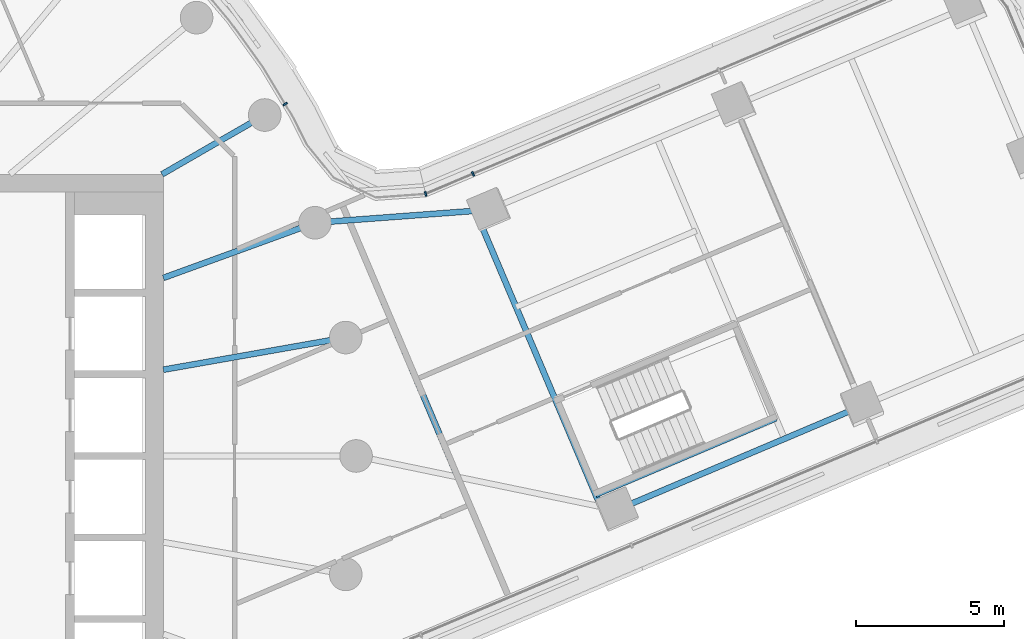
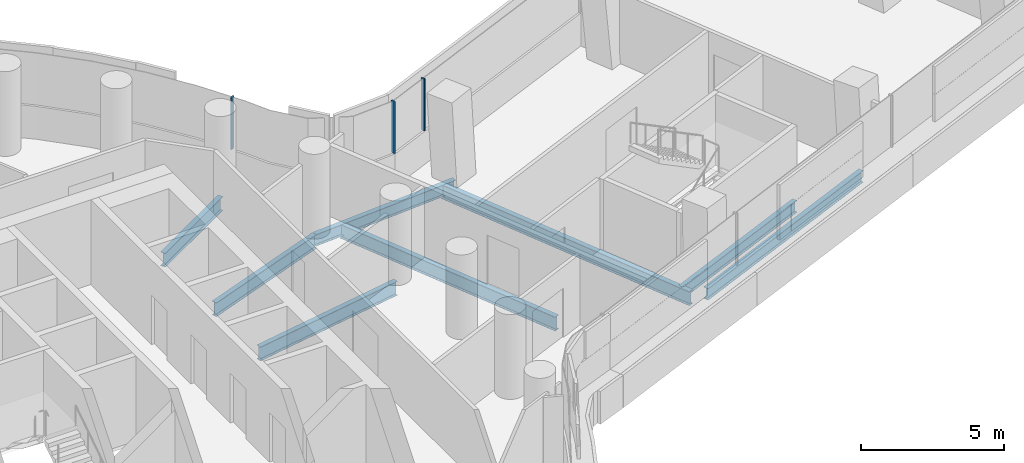
# One storey, part 12 of 35: 8 beams, 3 members, 2 elements without a shape of their own.
"""IFC4 building model written with IfcOpenShell, lengths in metres."""

from ifc_helpers import new_model, si_unit, direction, frame, origin, origin_2d, place, context, subcontext, project, spatial, rectangle, i_section, extrude, material, layer, layer_set, material_profile, profile_set, type_object, element, aggregate, save


model = new_model("IFC4")

# Units and contexts
model_context = context("Model", 3, precision=1e-05, world=origin(), true_north=direction((0.0, 1.0)))
body_context = subcontext(model_context, "Body", "Model", "MODEL_VIEW")
ifc_project = project(units=[si_unit("LENGTHUNIT", "METRE"), si_unit("AREAUNIT", "SQUARE_METRE"), si_unit("VOLUMEUNIT", "CUBIC_METRE"), si_unit("PLANEANGLEUNIT", "RADIAN"), si_unit("MASSUNIT", "GRAM", prefix="KILO")], contexts=[model_context])

# Site, building, storey
site_placement = place(None, origin())
site = spatial("IfcSite", under=ifc_project, at=site_placement, CompositionType="ELEMENT")
building_placement = place(site_placement, origin())
building = spatial("IfcBuilding", under=site, at=building_placement, Name="Tamarind Cross Interchange Tower", CompositionType="ELEMENT")
storey_placement = place(building_placement, frame((0.0, 0.0, 117.25)))
storey = spatial("IfcBuildingStorey", under=building, at=storey_placement, Name="L28", CompositionType="ELEMENT", Elevation=117.25)

# Beams
ifc_material_1 = material(Name="Steel Q355B", Category="steel")
ifc_material_profile_1 = material_profile(ifc_material_1, i_section(OverallWidth=0.198974609375, OverallDepth=0.49609375, WebThickness=0.009033203125, FlangeThickness=0.013916015625, FilletRadius=0.012939453125, at=origin_2d()), Name="HN 496x199x9x14")
ifc_profile_set_1 = profile_set([ifc_material_profile_1], Name="Steel Q355B")
beam_type_1 = type_object("IfcBeamType", Name="Composite beam HN 496x199x9x14 Q355B", PredefinedType="BEAM", material=ifc_profile_set_1)
beam_1_placement = place(storey_placement, frame((40.07421875, 1.6923828125, -0.387939453125), z_axis=(-0.920596558371, -0.390515014713, 0.0), x_axis=(0.390515014713, -0.920596558371, 0.0)))
element("IfcBeam", 1, at=beam_1_placement, inside=storey, type_object=beam_type_1, Name="Beam E-edgeem6", PredefinedType="BEAM", context=body_context, shape_type="SweptSolid", body=[
    extrude(i_section(OverallWidth=0.198974609375, OverallDepth=0.49609375, WebThickness=0.009033203125, FlangeThickness=0.013916015625, FilletRadius=0.012939453125, at=origin_2d()), origin(), (0.0, 0.0, 1.0), 9.0),
])
beam_2_placement = place(storey_placement, frame((27.4931640625, 8.304443359375, -0.387939453125), z_axis=(-0.997237393702, -0.074280418696, 0.0), x_axis=(0.074280418696, -0.997237393702, 0.0)))
element("IfcBeam", 2, at=beam_2_placement, inside=storey, type_object=beam_type_1, Name="Beam E-linkep", PredefinedType="BEAM", context=body_context, shape_type="SweptSolid", body=[
    extrude(i_section(OverallWidth=0.198974609375, OverallDepth=0.49609375, WebThickness=0.009033203125, FlangeThickness=0.013916015625, FilletRadius=0.012939453125, at=origin_2d()), origin(), (0.0, 0.0, 1.0), 5.896484375),
])
beam_3_placement = place(storey_placement, frame((31.08154296875, -1.307373046875, -0.387939453125), z_axis=(0.920609990967, 0.390483347316, 0.0), x_axis=(-0.390483347316, 0.920609990967, 0.0)))
element("IfcBeam", 3, at=beam_3_placement, inside=storey, type_object=beam_type_1, Name="Beam E-tr0", PredefinedType="BEAM", context=body_context, shape_type="SweptSolid", body=[
    extrude(i_section(OverallWidth=0.198974609375, OverallDepth=0.49609375, WebThickness=0.009033203125, FlangeThickness=0.013916015625, FilletRadius=0.012939453125, at=origin_2d()), origin(), (0.0, 0.0, 1.0), 6.599853515625),
])
ifc_material_profile_2 = material_profile(ifc_material_1, i_section(OverallWidth=0.198974609375, OverallDepth=0.595947265625, WebThickness=0.010009765625, FlangeThickness=0.014892578125, FilletRadius=0.012939453125, at=origin_2d()), Name="HN 596x199x10x15")
ifc_profile_set_2 = profile_set([ifc_material_profile_2], Name="Steel Q355B")
beam_type_2 = type_object("IfcBeamType", Name="Composite beam HN 596x199x10x15 Q355B", PredefinedType="BEAM", material=ifc_profile_set_2)
beam_4_placement = place(storey_placement, frame((22.650634765625, 3.993896484375, -0.43798828125), z_axis=(-0.984809127561, -0.173640382036, 0.0), x_axis=(0.173640382036, -0.984809127561, 0.0)))
element("IfcBeam", 4, at=beam_4_placement, inside=storey, type_object=beam_type_2, Name="Beam HH01", PredefinedType="BEAM", context=body_context, shape_type="SweptSolid", body=[
    extrude(i_section(OverallWidth=0.198974609375, OverallDepth=0.595947265625, WebThickness=0.010009765625, FlangeThickness=0.014892578125, FilletRadius=0.012939453125, at=origin_2d()), origin(), (0.0, 0.0, 1.0), 6.24560546875),
])
beam_5_placement = place(storey_placement, frame((21.613037109375, 7.866455078125, -0.43798828125), z_axis=(-0.939701685589, -0.341995236956, 0.0), x_axis=(0.341995236956, -0.939701685589, 0.0)))
element("IfcBeam", 5, at=beam_5_placement, inside=storey, type_object=beam_type_2, Name="Beam HH02", PredefinedType="BEAM", context=body_context, shape_type="SweptSolid", body=[
    extrude(i_section(OverallWidth=0.198974609375, OverallDepth=0.595947265625, WebThickness=0.010009765625, FlangeThickness=0.014892578125, FilletRadius=0.012939453125, at=origin_2d()), origin(), (0.0, 0.0, 1.0), 5.441162109375),
])
beam_6_placement = place(storey_placement, frame((19.918701171875, 11.5, -0.43798828125), z_axis=(-0.866026010844, -0.49999894854, 0.0), x_axis=(0.49999894854, -0.866026010844, 0.0)))
element("IfcBeam", 6, at=beam_6_placement, inside=storey, type_object=beam_type_2, Name="Beam HH03", PredefinedType="BEAM", context=body_context, shape_type="SweptSolid", body=[
    extrude(i_section(OverallWidth=0.198974609375, OverallDepth=0.595947265625, WebThickness=0.010009765625, FlangeThickness=0.014892578125, FilletRadius=0.012939453125, at=origin_2d()), origin(), (0.0, 0.0, 1.0), 4.0),
])
ifc_material_profile_3 = material_profile(ifc_material_1, i_section(OverallWidth=0.199951171875, OverallDepth=0.60009765625, WebThickness=0.010986328125, FlangeThickness=0.01708984375, FilletRadius=0.012939453125, at=origin_2d()), Name="HN 600x200x11x17")
ifc_profile_set_3 = profile_set([ifc_material_profile_3], Name="Steel Q355B")
beam_type_3 = type_object("IfcBeamType", Name="Composite beam HN 600x200x11x17 Q355B", PredefinedType="BEAM", material=ifc_profile_set_3)
beam_7_placement = place(storey_placement, frame((31.2529296875, -1.7109375, -0.43994140625), z_axis=(-0.390500109086, 0.920602881162, 0.0), x_axis=(-0.920602881162, -0.390500109086, 0.0)))
element("IfcBeam", 7, at=beam_7_placement, inside=storey, type_object=beam_type_3, Name="Beam E-x298", PredefinedType="BEAM", context=body_context, shape_type="SweptSolid", body=[
    extrude(i_section(OverallWidth=0.199951171875, OverallDepth=0.60009765625, WebThickness=0.010986328125, FlangeThickness=0.01708984375, FilletRadius=0.012939453125, at=origin_2d()), origin(), (0.0, 0.0, 1.0), 10.841064453125),
])
beam_8_placement = place(storey_placement, frame((26.42919921875, -0.7109375, -0.43994140625), z_axis=(-0.390493874521, 0.920605525707, 0.0), x_axis=(-0.920605525707, -0.390493874521, 0.0)))
element("IfcBeam", 8, at=beam_8_placement, inside=storey, type_object=beam_type_3, Name="Beam E-x258", PredefinedType="BEAM", context=body_context, shape_type="SweptSolid", body=[
    extrude(i_section(OverallWidth=0.199951171875, OverallDepth=0.60009765625, WebThickness=0.010986328125, FlangeThickness=0.01708984375, FilletRadius=0.012939453125, at=origin_2d()), origin(), (0.0, 0.0, 1.0), 9.409423828125),
])

# Curtain wall, member
ifc_material_2 = material(Name="Aluminium 6063-T6", Category="aluminium")
ifc_layer = layer(ifc_material_2, 0.159912109375)
ifc_layer_set = layer_set([ifc_layer], Name="Aluminium 6063-T6")
curtain_wall_type = type_object("IfcCurtainWallType", Name="Office curtain wall, 9.0 m bays", PredefinedType="NOTDEFINED", material=ifc_layer_set)
curtain_wall_1_placement = place(storey_placement, origin())
curtain_wall_1 = element("IfcCurtainWall", 9, at=curtain_wall_1_placement, inside=storey, type_object=curtain_wall_type, Name="CWS-L28-09", PredefinedType="NOTDEFINED")
ifc_material_profile_4 = material_profile(ifc_material_2, rectangle(XDim=0.06005859375, YDim=0.159912109375, at=origin_2d()), Name="Mullion CW1")
ifc_profile_set_4 = profile_set([ifc_material_profile_4], Name="Aluminium 6063-T6")
member_type = type_object("IfcMemberType", Name="Mullion CW1", PredefinedType="MULLION", material=ifc_profile_set_4)
member_1_placement = place(storey_placement, frame((26.944091796875, 9.514892578125, 1.39990234375), z_axis=(0.0, 0.0, 1.0), x_axis=(-0.921263635853, -0.388938701154, 0.0)))
member_1 = element("IfcMember", 10, at=member_1_placement, type_object=member_type, Name="CWM-L28-09-02", PredefinedType="MULLION", context=body_context, shape_type="SweptSolid", body=[
    extrude(rectangle(XDim=0.06005859375, YDim=0.159912109375, at=origin_2d()), origin(), (0.0, 0.0, 1.0), 2.210205078125),
])
aggregate(curtain_wall_1, [member_1])

# Curtain wall, members
curtain_wall_2_placement = place(storey_placement, origin())
curtain_wall_2 = element("IfcCurtainWall", 11, at=curtain_wall_2_placement, inside=storey, type_object=curtain_wall_type, Name="CWS-L28-10", PredefinedType="NOTDEFINED")
member_2_placement = place(storey_placement, frame((25.346923828125, 8.840576171875, 1.39990234375), z_axis=(0.0, 0.0, 1.0), x_axis=(-0.972421022022, -0.233232407545, 0.0)))
member_2 = element("IfcMember", 12, at=member_2_placement, type_object=member_type, Name="CWM-L28-10-00", PredefinedType="MULLION", context=body_context, shape_type="SweptSolid", body=[
    extrude(rectangle(XDim=0.06005859375, YDim=0.159912109375, at=origin_2d()), origin(), (0.0, 0.0, 1.0), 2.210205078125),
])
member_3_placement = place(storey_placement, frame((20.60595703125, 11.868896484375, 1.39990234375), z_axis=(0.0, 0.0, 1.0), x_axis=(-0.515577308909, 0.856843065292, 0.0)))
member_3 = element("IfcMember", 13, at=member_3_placement, type_object=member_type, Name="CWM-L28-10-01", PredefinedType="MULLION", context=body_context, shape_type="SweptSolid", body=[
    extrude(rectangle(XDim=0.06005859375, YDim=0.159912109375, at=origin_2d()), origin(), (0.0, 0.0, 1.0), 2.210205078125),
])
aggregate(curtain_wall_2, [member_2, member_3])

save(model, "model.ifc")
